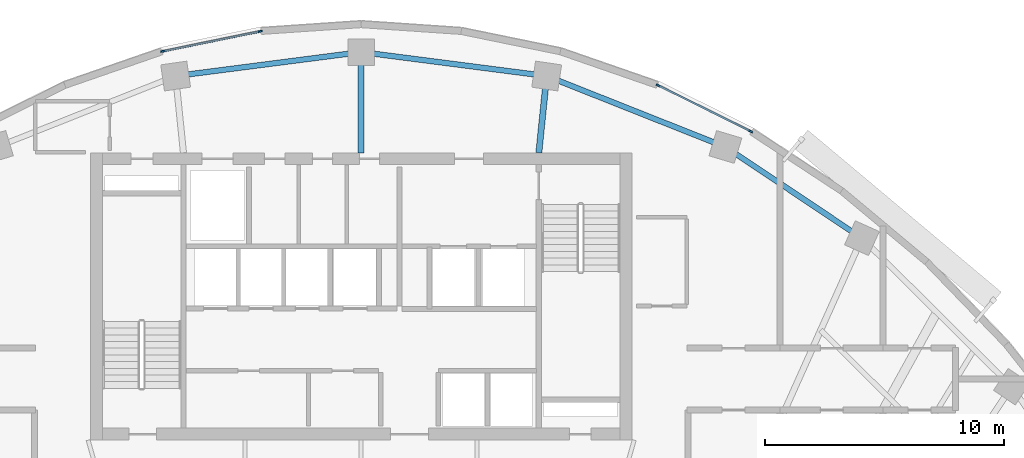
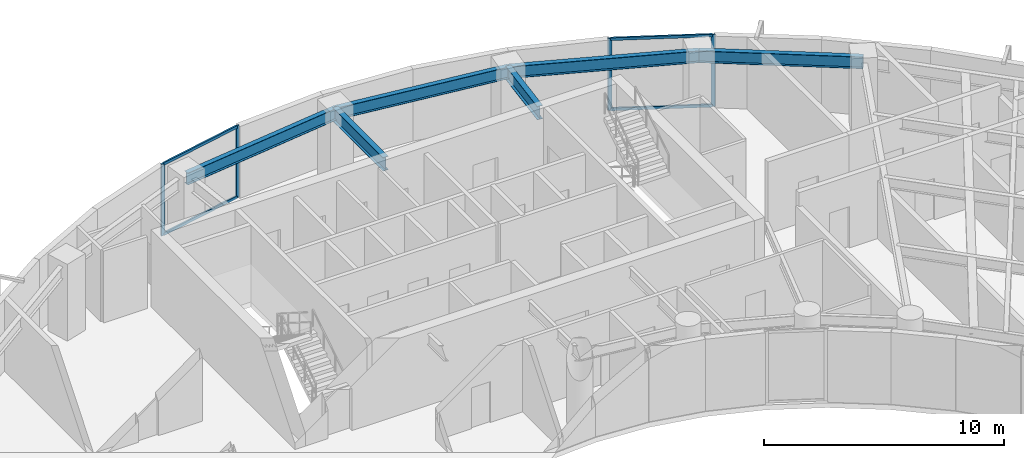
# One storey, part 5 of 14: 8 members, 6 beams, 2 elements without a shape of their own.
"""IFC4 building model written with IfcOpenShell, lengths in metres."""

from ifc_helpers import new_model, si_unit, direction, frame, origin, origin_2d, place, context, subcontext, project, spatial, rectangle, i_section, extrude, source, transform, mapped, material, layer, layer_set, material_profile, profile_set, type_object, element, aggregate, save


model = new_model("IFC4")

# Units and contexts
model_context = context("Model", 3, precision=1e-05, world=origin(), true_north=direction((0.0, 1.0)))
body_context = subcontext(model_context, "Body", "Model", "MODEL_VIEW")
ifc_project = project(units=[si_unit("LENGTHUNIT", "METRE"), si_unit("AREAUNIT", "SQUARE_METRE"), si_unit("VOLUMEUNIT", "CUBIC_METRE"), si_unit("PLANEANGLEUNIT", "RADIAN"), si_unit("MASSUNIT", "GRAM", prefix="KILO")], contexts=[model_context])

# Site, building, storey
site_placement = place(None, origin())
site = spatial("IfcSite", under=ifc_project, at=site_placement, CompositionType="ELEMENT")
building_placement = place(site_placement, origin())
building = spatial("IfcBuilding", under=site, at=building_placement, Name="Breltana Convention Tower", CompositionType="ELEMENT")
storey_placement = place(building_placement, frame((0.0, 0.0, 177.89990234375)))
storey = spatial("IfcBuildingStorey", under=building, at=storey_placement, Name="L43", CompositionType="ELEMENT", Elevation=177.89990234375)

# Beams
ifc_material_1 = material(Name="Steel ASTM A992 Grade 50", Category="steel")
ifc_material_profile_1 = material_profile(ifc_material_1, i_section(OverallWidth=0.25390625, OverallDepth=0.68798828125, WebThickness=0.01318359375, FlangeThickness=0.02099609375, at=origin_2d()), Name="W27X102")
ifc_profile_set_1 = profile_set([ifc_material_profile_1], Name="Steel ASTM A992 Grade 50")
beam_type_1 = type_object("IfcBeamType", Name="BM-RG-W27X102", PredefinedType="USERDEFINED", material=ifc_profile_set_1)
shared_shape_1 = source(origin(), body_context, "Body", "SweptSolid", [
    extrude(i_section(OverallWidth=0.25390625, OverallDepth=0.68798828125, WebThickness=0.01318359375, FlangeThickness=0.02099609375, at=origin_2d()), origin(), (0.0, 0.0, 1.0), 3.220947265625),
])
beam_1_placement = place(storey_placement, frame((55.419921875, 72.199951171875, 3.30615234375), z_axis=(0.101492254858, 0.994836329355, 0.0), x_axis=(-0.994836329355, 0.101492254858, 0.0)))
element("IfcBeam", 1, at=beam_1_placement, inside=storey, type_object=beam_type_1, Name="L43 North Core Radial Girder R07", ObjectType="GIRDER", PredefinedType="USERDEFINED", context=body_context, shape_type="MappedRepresentation", body=[
    mapped(shared_shape_1, transform((0.0, 0.0, 0.0), scale=1.0)),
])
shared_shape_2 = source(origin(), body_context, "Body", "SweptSolid", [
    extrude(i_section(OverallWidth=0.25390625, OverallDepth=0.68798828125, WebThickness=0.01318359375, FlangeThickness=0.02099609375, at=origin_2d()), origin(), (0.0, 0.0, 1.0), 4.2041015625),
])
beam_2_placement = place(storey_placement, frame((48.0, 72.199951171875, 3.30615234375), z_axis=(0.0, 1.0, 0.0), x_axis=(-1.0, 0.0, 0.0)))
element("IfcBeam", 2, at=beam_2_placement, inside=storey, type_object=beam_type_1, Name="L43 North Core Radial Girder R06", ObjectType="GIRDER", PredefinedType="USERDEFINED", context=body_context, shape_type="MappedRepresentation", body=[
    mapped(shared_shape_2, transform((0.0, 0.0, 0.0), scale=1.0)),
])
ifc_material_profile_2 = material_profile(ifc_material_1, i_section(OverallWidth=0.22802734375, OverallDepth=0.60791015625, WebThickness=0.01123046875, FlangeThickness=0.017333984375, at=origin_2d()), Name="W24X76")
ifc_profile_set_2 = profile_set([ifc_material_profile_2], Name="Steel ASTM A992 Grade 50")
beam_type_2 = type_object("IfcBeamType", Name="BM-SP-W24X76", PredefinedType="SPANDREL", material=ifc_profile_set_2)
shared_shape_3 = source(origin(), body_context, "Body", "SweptSolid", [
    extrude(i_section(OverallWidth=0.22802734375, OverallDepth=0.60791015625, WebThickness=0.01123046875, FlangeThickness=0.017333984375, at=origin_2d()), origin(), (0.0, 0.0, 1.0), 8.028564453125),
])
beam_3_placement = place(storey_placement, frame((55.746826171875, 75.404296875, 3.34619140625), z_axis=(0.929459100394, -0.368925169507, 0.0), x_axis=(0.368925169507, 0.929459100394, 0.0)))
element("IfcBeam", 3, at=beam_3_placement, inside=storey, type_object=beam_type_2, Name="L43 Outer Spandrel Beam 07", PredefinedType="SPANDREL", context=body_context, shape_type="MappedRepresentation", body=[
    mapped(shared_shape_3, transform((0.0, 0.0, 0.0), scale=1.0)),
])
shared_shape_4 = source(origin(), body_context, "Body", "SweptSolid", [
    extrude(i_section(OverallWidth=0.22802734375, OverallDepth=0.60791015625, WebThickness=0.01123046875, FlangeThickness=0.017333984375, at=origin_2d()), origin(), (0.0, 0.0, 1.0), 7.81103515625),
])
for number, where, z_axis, x_axis, name in (
    (4, (40.253173828125, 75.404296875, 3.34619140625), (0.991775179127, 0.127992164083, 0.0), (-0.127992164083, 0.991775179127, 0.0), "L43 Outer Spandrel Beam 05"),
    (5, (48.0, 76.404052734375, 3.34619140625), (0.991775179127, -0.127992164083, 0.0), (0.127992164083, 0.991775179127, 0.0), "L43 Outer Spandrel Beam 06"),
):
    element("IfcBeam", number, at=place(storey_placement, frame(where, z_axis=z_axis, x_axis=x_axis)), inside=storey, type_object=beam_type_2, Name=name, PredefinedType="SPANDREL", context=body_context, shape_type="MappedRepresentation", body=[
        mapped(shared_shape_4, transform((0.0, 0.0, 0.0), scale=1.0)),
    ])
shared_shape_5 = source(origin(), body_context, "Body", "SweptSolid", [
    extrude(i_section(OverallWidth=0.22802734375, OverallDepth=0.60791015625, WebThickness=0.01123046875, FlangeThickness=0.017333984375, at=origin_2d()), origin(), (0.0, 0.0, 1.0), 6.856689453125),
])
beam_4_placement = place(storey_placement, frame((63.208984375, 72.4423828125, 3.34619140625), z_axis=(0.83150210718, -0.55552159792, 0.0), x_axis=(0.55552159792, 0.83150210718, 0.0)))
element("IfcBeam", 6, at=beam_4_placement, inside=storey, type_object=beam_type_2, Name="L43 Outer Spandrel Beam 08", PredefinedType="SPANDREL", context=body_context, shape_type="MappedRepresentation", body=[
    mapped(shared_shape_5, transform((0.0, 0.0, 0.0), scale=1.0)),
])

# Curtain wall, members
ifc_material_2 = material(Name="Aluminium Anodised Bronze Frame", Category="aluminium")
ifc_layer = layer(ifc_material_2, 0.2099609375, Name="Aluminium Anodised Bronze Frame")
ifc_layer_set = layer_set([ifc_layer], Name="Aluminium Anodised Bronze Frame")
curtain_wall_type = type_object("IfcCurtainWallType", Name="CW-SYS-3", PredefinedType="NOTDEFINED", material=ifc_layer_set)
curtain_wall_1_placement = place(storey_placement, origin())
curtain_wall_1 = element("IfcCurtainWall", 7, at=curtain_wall_1_placement, inside=storey, type_object=curtain_wall_type, Name="L43 outer double-skin inner glazing 3", PredefinedType="NOTDEFINED")
ifc_material_3 = material(Name="Aluminium Anodised Bronze", Category="aluminium")
ifc_material_profile_3 = material_profile(ifc_material_3, rectangle(XDim=0.070068359375, YDim=0.175048828125, at=origin_2d()), Name="CWM-70X175")
ifc_profile_set_3 = profile_set([ifc_material_profile_3], Name="Aluminium Anodised Bronze")
member_type_1 = type_object("IfcMemberType", Name="CWM-175", PredefinedType="MULLION", material=ifc_profile_set_3)
shared_shape_6 = source(origin(), body_context, "Body", "SweptSolid", [
    extrude(rectangle(XDim=0.070068359375, YDim=0.175048828125, at=origin_2d()), origin(), (0.0, 0.0, 1.0), 3.650146484375),
])
member_1_placement = place(storey_placement, frame((39.71728515625, 76.4384765625, 0.0), z_axis=(0.0, 0.0, 1.0), x_axis=(-0.200876562668, 0.979616560993, 0.0)))
member_1 = element("IfcMember", 8, at=member_1_placement, type_object=member_type_1, Name="CW-03 mullion 1", PredefinedType="MULLION", context=body_context, shape_type="MappedRepresentation", body=[
    mapped(shared_shape_6, transform((0.0, 0.0, 0.0), scale=1.0)),
])
member_2_placement = place(storey_placement, frame((43.7861328125, 77.272705078125, 0.0), z_axis=(0.0, 0.0, 1.0), x_axis=(-0.200876562668, 0.979616560993, 0.0)))
member_2 = element("IfcMember", 9, at=member_2_placement, type_object=member_type_1, Name="CW-03 mullion 2", PredefinedType="MULLION", context=body_context, shape_type="MappedRepresentation", body=[
    mapped(shared_shape_6, transform((0.0, 0.0, 0.0), scale=1.0)),
])

curtain_wall_2_placement = place(storey_placement, origin())
curtain_wall_2 = element("IfcCurtainWall", 10, at=curtain_wall_2_placement, inside=storey, type_object=curtain_wall_type, Name="L43 outer double-skin inner glazing 4", PredefinedType="NOTDEFINED")
member_3_placement = place(storey_placement, frame((60.40185546875, 75.011474609375, 0.0), z_axis=(0.0, 0.0, 1.0), x_axis=(0.444117835682, 0.895968385619, 0.0)))
member_3 = element("IfcMember", 11, at=member_3_placement, type_object=member_type_1, Name="CW-03 mullion 1", PredefinedType="MULLION", context=body_context, shape_type="MappedRepresentation", body=[
    mapped(shared_shape_6, transform((0.0, 0.0, 0.0), scale=1.0)),
])
member_4_placement = place(storey_placement, frame((64.266845703125, 73.095458984375, 0.0), z_axis=(0.0, 0.0, 1.0), x_axis=(0.444117835682, 0.895968385619, 0.0)))
member_4 = element("IfcMember", 12, at=member_4_placement, type_object=member_type_1, Name="CW-03 mullion 2", PredefinedType="MULLION", context=body_context, shape_type="MappedRepresentation", body=[
    mapped(shared_shape_6, transform((0.0, 0.0, 0.0), scale=1.0)),
])
ifc_material_profile_4 = material_profile(ifc_material_3, rectangle(XDim=0.080078125, YDim=0.139892578125, at=origin_2d()), Name="CWT-80X140")
ifc_profile_set_4 = profile_set([ifc_material_profile_4], Name="Aluminium Anodised Bronze")
member_type_2 = type_object("IfcMemberType", Name="CWT-140", PredefinedType="USERDEFINED", material=ifc_profile_set_4)
shared_shape_7 = source(origin(), body_context, "Body", "SweptSolid", [
    extrude(rectangle(XDim=0.080078125, YDim=0.139892578125, at=origin_2d()), origin(), (0.0, 0.0, 1.0), 4.243896484375),
])
member_5_placement = place(storey_placement, frame((60.43310546875, 74.995849609375, 0.0400390625), z_axis=(0.895975011629, -0.444104468043, 0.0), x_axis=(0.444104468043, 0.895975011629, 0.0)))
member_5 = element("IfcMember", 13, at=member_5_placement, type_object=member_type_2, Name="CW-03 transom 1.1", ObjectType="TRANSOM", PredefinedType="USERDEFINED", context=body_context, shape_type="MappedRepresentation", body=[
    mapped(shared_shape_7, transform((0.0, 0.0, 0.0), scale=1.0)),
])
member_6_placement = place(storey_placement, frame((60.43310546875, 74.995849609375, 3.610107421875), z_axis=(0.895975011629, -0.444104468043, 0.0), x_axis=(0.444104468043, 0.895975011629, 0.0)))
member_6 = element("IfcMember", 14, at=member_6_placement, type_object=member_type_2, Name="CW-03 transom 1.2", ObjectType="TRANSOM", PredefinedType="USERDEFINED", context=body_context, shape_type="MappedRepresentation", body=[
    mapped(shared_shape_7, transform((0.0, 0.0, 0.0), scale=1.0)),
])
aggregate(curtain_wall_2, [member_3, member_4, member_5, member_6])

# Member
shared_shape_8 = source(origin(), body_context, "Body", "SweptSolid", [
    extrude(rectangle(XDim=0.080078125, YDim=0.139892578125, at=origin_2d()), origin(), (0.0, 0.0, 1.0), 4.08349609375),
])
member_7_placement = place(storey_placement, frame((39.75146484375, 76.445556640625, 0.0400390625), z_axis=(0.979626533509, 0.20082792347, 0.0), x_axis=(-0.20082792347, 0.979626533509, 0.0)))
member_7 = element("IfcMember", 15, at=member_7_placement, type_object=member_type_2, Name="CW-03 transom 1.1", ObjectType="TRANSOM", PredefinedType="USERDEFINED", context=body_context, shape_type="MappedRepresentation", body=[
    mapped(shared_shape_8, transform((0.0, 0.0, 0.0), scale=1.0)),
])

member_8_placement = place(storey_placement, frame((39.75146484375, 76.445556640625, 3.610107421875), z_axis=(0.979626533509, 0.20082792347, 0.0), x_axis=(-0.20082792347, 0.979626533509, 0.0)))
member_8 = element("IfcMember", 16, at=member_8_placement, type_object=member_type_2, Name="CW-03 transom 1.2", ObjectType="TRANSOM", PredefinedType="USERDEFINED", context=body_context, shape_type="MappedRepresentation", body=[
    mapped(shared_shape_8, transform((0.0, 0.0, 0.0), scale=1.0)),
])

aggregate(curtain_wall_1, [member_1, member_2, member_7, member_8])

save(model, "model.ifc")
